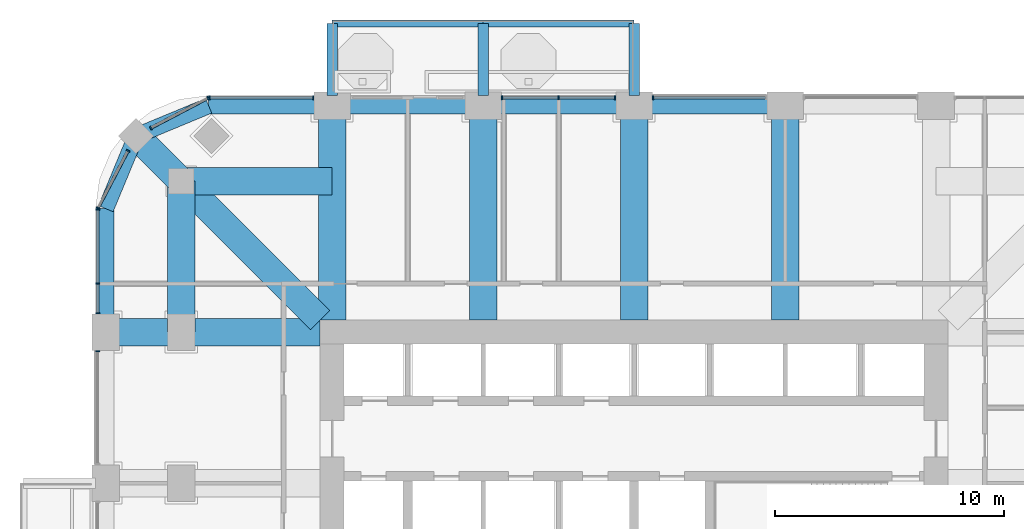
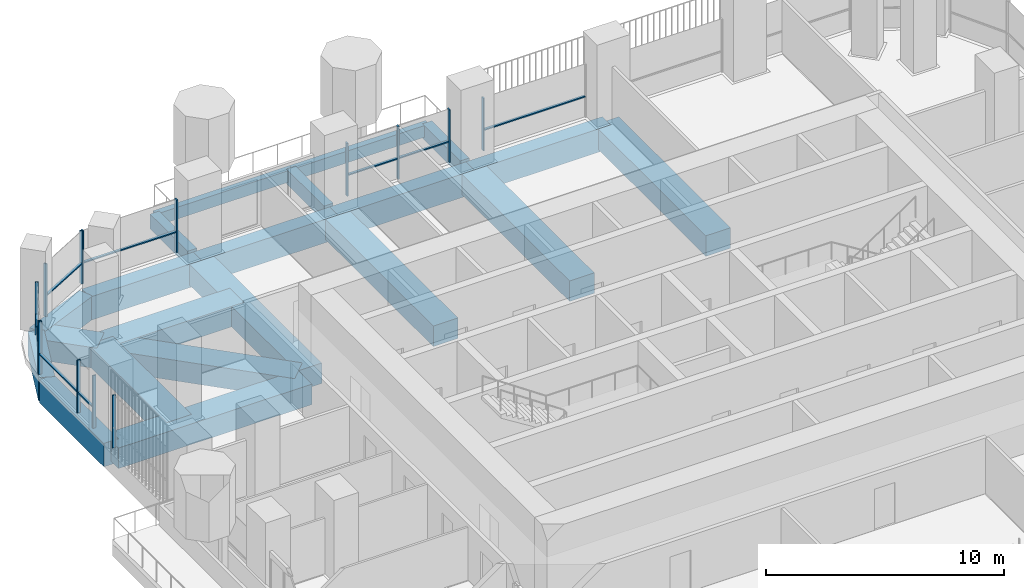
# One storey, part 6 of 20: 22 members, 21 beams, 7 elements without a shape of their own.
"""IFC4 building model written with IfcOpenShell, lengths in metres."""

from ifc_helpers import new_model, si_unit, direction, frame, origin, origin_2d, place, context, subcontext, project, spatial, rectangle, extrude, material, material_profile, profile_set, type_object, element, aggregate, save


model = new_model("IFC4")

# Units and contexts
model_context = context("Model", 3, precision=1e-05, world=origin(), true_north=direction((0.0, 1.0)))
body_context = subcontext(model_context, "Body", "Model", "MODEL_VIEW")
ifc_project = project(units=[si_unit("LENGTHUNIT", "METRE"), si_unit("AREAUNIT", "SQUARE_METRE"), si_unit("VOLUMEUNIT", "CUBIC_METRE"), si_unit("PLANEANGLEUNIT", "RADIAN"), si_unit("MASSUNIT", "GRAM", prefix="KILO")], contexts=[model_context])

# Site, building, storey
site_placement = place(None, origin())
site = spatial("IfcSite", under=ifc_project, at=site_placement, CompositionType="ELEMENT")
building_placement = place(site_placement, origin())
building = spatial("IfcBuilding", under=site, at=building_placement, Name="Cobogo Forest Laboratory Tower", CompositionType="ELEMENT")
storey_placement = place(building_placement, frame((0.0, 0.0, 176.699951171875)))
storey = spatial("IfcBuildingStorey", under=building, at=storey_placement, Name="L40", CompositionType="ELEMENT", Elevation=176.699951171875)

# Beams
ifc_material_1 = material(Name="Concrete HA-40 (C40/50)", Category="concrete")
ifc_material_profile_1 = material_profile(ifc_material_1, rectangle(XDim=0.449951171875, YDim=0.75, at=origin_2d()), Name="RC 450x750")
ifc_profile_set_1 = profile_set([ifc_material_profile_1], Name="Concrete HA-40 (C40/50)")
beam_type_1 = type_object("IfcBeamType", Name="Balcony cantilever beam 450x750", PredefinedType="BEAM", material=ifc_profile_set_1)
for number, where, z_axis, x_axis, name in (
    (1, (13.199951171875, 43.35009765625, -0.625), (0.0, 1.0, 0.0), (-1.0, 0.0, 0.0), "CB1 BAL-N1-C1 L40"),
    (2, (19.800048828125, 43.35009765625, -0.625), (0.0, 1.0, 0.0), (-1.0, 0.0, 0.0), "CB1 BAL-N1-C2 L40"),
    (3, (26.39990234375, 43.35009765625, -0.625), (0.0, 1.0, 0.0), (-1.0, 0.0, 0.0), "CB1 BAL-N1-C3 L40"),
):
    element("IfcBeam", number, at=place(storey_placement, frame(where, z_axis=z_axis, x_axis=x_axis)), inside=storey, type_object=beam_type_1, Name=name, PredefinedType="BEAM", context=body_context, shape_type="SweptSolid", body=[
        extrude(rectangle(XDim=0.449951171875, YDim=0.75, at=origin_2d()), origin(), (0.0, 0.0, 1.0), 3.14990234375),
    ])
ifc_material_profile_2 = material_profile(ifc_material_1, rectangle(XDim=0.300048828125, YDim=0.60009765625, at=origin_2d()), Name="RC 300x600")
ifc_profile_set_2 = profile_set([ifc_material_profile_2], Name="Concrete HA-40 (C40/50)")
beam_type_2 = type_object("IfcBeamType", Name="Balcony edge beam 300x600", PredefinedType="BEAM", material=ifc_profile_set_2)
beam_1_placement = place(storey_placement, frame((13.199951171875, 46.5, -0.550048828125), z_axis=(1.0, 0.0, 0.0), x_axis=(0.0, 1.0, 0.0)))
element("IfcBeam", 4, at=beam_1_placement, inside=storey, type_object=beam_type_2, Name="BB1 BAL-N1-T1 L40", PredefinedType="BEAM", context=body_context, shape_type="SweptSolid", body=[
    extrude(rectangle(XDim=0.300048828125, YDim=0.60009765625, at=origin_2d()), origin(), (0.0, 0.0, 1.0), 6.60009765625),
])
beam_2_placement = place(storey_placement, frame((19.800048828125, 46.5, -0.550048828125), z_axis=(1.0, 0.0, 0.0), x_axis=(0.0, 1.0, 0.0)))
element("IfcBeam", 5, at=beam_2_placement, inside=storey, type_object=beam_type_2, Name="BB1 BAL-N1-T2 L40", PredefinedType="BEAM", context=body_context, shape_type="SweptSolid", body=[
    extrude(rectangle(XDim=0.300048828125, YDim=0.60009765625, at=origin_2d()), origin(), (0.0, 0.0, 1.0), 6.599853515625),
])
ifc_material_profile_3 = material_profile(ifc_material_1, rectangle(XDim=1.199951171875, YDim=1.050048828125, at=origin_2d()), Name="RC 1200x1050")
ifc_profile_set_3 = profile_set([ifc_material_profile_3], Name="Concrete HA-40 (C40/50)")
beam_type_3 = type_object("IfcBeamType", Name="Laboratory floor wide beam 1200x1050", PredefinedType="BEAM", material=ifc_profile_set_3)
for number, where, z_axis, x_axis, name in (
    (6, (13.199951171875, 33.52490234375, -0.824951171875), (0.0, 1.0, 0.0), (-1.0, 0.0, 0.0), "RB1 R-3-N L40"),
    (7, (19.800048828125, 33.52490234375, -0.824951171875), (0.0, 1.0, 0.0), (-1.0, 0.0, 0.0), "RB1 R-4-N L40"),
    (8, (26.39990234375, 33.52490234375, -0.824951171875), (0.0, 1.0, 0.0), (-1.0, 0.0, 0.0), "RB1 R-5-N L40"),
    (9, (33.0, 33.52490234375, -0.824951171875), (0.0, 1.0, 0.0), (-1.0, 0.0, 0.0), "RB1 R-6-N L40"),
    (10, (12.675048828125, 33.0, -0.824951171875), (-1.0, 0.0, 0.0), (0.0, -1.0, 0.0), "RB1 R-F-W L40"),
):
    element("IfcBeam", number, at=place(storey_placement, frame(where, z_axis=z_axis, x_axis=x_axis)), inside=storey, type_object=beam_type_3, Name=name, PredefinedType="BEAM", context=body_context, shape_type="SweptSolid", body=[
        extrude(rectangle(XDim=1.199951171875, YDim=1.050048828125, at=origin_2d()), origin(), (0.0, 0.0, 1.0), 9.375),
    ])
beam_3_placement = place(storey_placement, frame((6.60009765625, 39.60009765625, -0.824951171875), z_axis=(0.0, -1.0, 0.0), x_axis=(1.0, 0.0, 0.0)))
element("IfcBeam", 11, at=beam_3_placement, inside=storey, type_object=beam_type_3, Name="RB1 G-NW-XC L40", PredefinedType="BEAM", context=body_context, shape_type="SweptSolid", body=[
    extrude(rectangle(XDim=1.199951171875, YDim=1.050048828125, at=origin_2d()), origin(), (0.0, 0.0, 1.0), 6.60009765625),
])
beam_4_placement = place(storey_placement, frame((6.60009765625, 39.60009765625, -0.824951171875), z_axis=(1.0, 0.0, 0.0), x_axis=(0.0, 1.0, 0.0)))
element("IfcBeam", 12, at=beam_4_placement, inside=storey, type_object=beam_type_3, Name="RB1 G-NW-YC L40", PredefinedType="BEAM", context=body_context, shape_type="SweptSolid", body=[
    extrude(rectangle(XDim=1.199951171875, YDim=1.050048828125, at=origin_2d()), origin(), (0.0, 0.0, 1.0), 6.599853515625),
])
beam_5_placement = place(storey_placement, frame((4.617919921875, 41.58203125, -0.824951171875), z_axis=(0.707150328948, -0.707063230743, 0.0), x_axis=(0.707063230743, 0.707150328948, 0.0)))
element("IfcBeam", 13, at=beam_5_placement, inside=storey, type_object=beam_type_3, Name="RB1 G-NW-D1 L40", PredefinedType="BEAM", context=body_context, shape_type="SweptSolid", body=[
    extrude(rectangle(XDim=1.199951171875, YDim=1.050048828125, at=origin_2d()), origin(), (0.0, 0.0, 1.0), 2.802978515625),
])
beam_6_placement = place(storey_placement, frame((6.60009765625, 39.60009765625, -0.824951171875), z_axis=(0.707092572697, -0.70712098939, 0.0), x_axis=(0.70712098939, 0.707092572697, 0.0)))
element("IfcBeam", 14, at=beam_6_placement, inside=storey, type_object=beam_type_3, Name="RB1 G-NW-D2 L40", PredefinedType="BEAM", context=body_context, shape_type="SweptSolid", body=[
    extrude(rectangle(XDim=1.199951171875, YDim=1.050048828125, at=origin_2d()), origin(), (0.0, 0.0, 1.0), 8.591552734375),
])

# Curtain wall, member
ifc_material_2 = material(Name="Aluminium curtain wall", Category="aluminium")
curtain_wall_type = type_object("IfcCurtainWallType", Name="CW-2 unitised curtain wall, solar control glazing, laboratory floors zones C and D", PredefinedType="USERDEFINED", material=ifc_material_2)
curtain_wall_1_placement = place(storey_placement, origin())
curtain_wall_1 = element("IfcCurtainWall", 15, at=curtain_wall_1_placement, inside=storey, type_object=curtain_wall_type, Name="Curtain wall 18 L40", ObjectType="UNITISED CURTAIN WALL", PredefinedType="USERDEFINED")
ifc_material_3 = material(Name="Aluminium mullion", Category="aluminium")
ifc_material_profile_4 = material_profile(ifc_material_3, rectangle(XDim=0.06005859375, YDim=0.159912109375, at=origin_2d()), Name="AL 60x160")
ifc_profile_set_4 = profile_set([ifc_material_profile_4], Name="Aluminium mullion")
member_type_1 = type_object("IfcMemberType", Name="MU-1 aluminium mullion 60x160", PredefinedType="MULLION", material=ifc_profile_set_4)
member_1_placement = place(storey_placement, frame((27.22998046875, 43.25, 0.0), z_axis=(0.0, 0.0, 1.0), x_axis=(-1.0, 0.0, 0.0)))
member_1 = element("IfcMember", 16, at=member_1_placement, type_object=member_type_1, Name="CW-2 mullion 2", PredefinedType="MULLION", context=body_context, shape_type="SweptSolid", body=[
    extrude(rectangle(XDim=0.06005859375, YDim=0.159912109375, at=origin_2d()), origin(), (0.0, 0.0, 1.0), 2.699951171875),
])

# Curtain wall, members
curtain_wall_2_placement = place(storey_placement, origin())
curtain_wall_2 = element("IfcCurtainWall", 17, at=curtain_wall_2_placement, inside=storey, type_object=curtain_wall_type, Name="Curtain wall 19 L40", ObjectType="UNITISED CURTAIN WALL", PredefinedType="USERDEFINED")
member_2_placement = place(storey_placement, frame((25.570068359375, 43.25, 0.0), z_axis=(0.0, 0.0, 1.0), x_axis=(-1.0, 0.0, 0.0)))
member_2 = element("IfcMember", 18, at=member_2_placement, type_object=member_type_1, Name="CW-2 mullion 1", PredefinedType="MULLION", context=body_context, shape_type="SweptSolid", body=[
    extrude(rectangle(XDim=0.06005859375, YDim=0.159912109375, at=origin_2d()), origin(), (0.0, 0.0, 1.0), 2.699951171875),
])
member_3_placement = place(storey_placement, frame((23.10009765625, 43.25, 0.0), z_axis=(0.0, 0.0, 1.0), x_axis=(-1.0, 0.0, 0.0)))
member_3 = element("IfcMember", 19, at=member_3_placement, type_object=member_type_1, Name="CW-2 mullion 2", PredefinedType="MULLION", context=body_context, shape_type="SweptSolid", body=[
    extrude(rectangle(XDim=0.06005859375, YDim=0.159912109375, at=origin_2d()), origin(), (0.0, 0.0, 1.0), 2.699951171875),
])
member_4_placement = place(storey_placement, frame((20.6298828125, 43.25, 0.0), z_axis=(0.0, 0.0, 1.0), x_axis=(-1.0, 0.0, 0.0)))
member_4 = element("IfcMember", 20, at=member_4_placement, type_object=member_type_1, Name="CW-2 mullion 3", PredefinedType="MULLION", context=body_context, shape_type="SweptSolid", body=[
    extrude(rectangle(XDim=0.06005859375, YDim=0.159912109375, at=origin_2d()), origin(), (0.0, 0.0, 1.0), 2.699951171875),
])

curtain_wall_3_placement = place(storey_placement, origin())
curtain_wall_3 = element("IfcCurtainWall", 21, at=curtain_wall_3_placement, inside=storey, type_object=curtain_wall_type, Name="Curtain wall 21 L40", ObjectType="UNITISED CURTAIN WALL", PredefinedType="USERDEFINED")
member_5_placement = place(storey_placement, frame((12.3701171875, 43.25, 0.0), z_axis=(0.0, 0.0, 1.0), x_axis=(-1.0, 0.0, 0.0)))
member_5 = element("IfcMember", 22, at=member_5_placement, type_object=member_type_1, Name="CW-2 mullion 1", PredefinedType="MULLION", context=body_context, shape_type="SweptSolid", body=[
    extrude(rectangle(XDim=0.06005859375, YDim=0.159912109375, at=origin_2d()), origin(), (0.0, 0.0, 1.0), 2.699951171875),
])
member_6_placement = place(storey_placement, frame((7.830078125, 43.25, 0.0), z_axis=(0.0, 0.0, 1.0), x_axis=(-1.0, 0.0, 0.0)))
member_6 = element("IfcMember", 23, at=member_6_placement, type_object=member_type_1, Name="CW-2 mullion 2", PredefinedType="MULLION", context=body_context, shape_type="SweptSolid", body=[
    extrude(rectangle(XDim=0.06005859375, YDim=0.159912109375, at=origin_2d()), origin(), (0.0, 0.0, 1.0), 2.699951171875),
])

curtain_wall_4_placement = place(storey_placement, origin())
curtain_wall_4 = element("IfcCurtainWall", 24, at=curtain_wall_4_placement, inside=storey, type_object=curtain_wall_type, Name="Curtain wall 22 L40", ObjectType="UNITISED CURTAIN WALL", PredefinedType="USERDEFINED")
member_7_placement = place(storey_placement, frame((7.7734375, 43.236083984375, 0.0), z_axis=(0.0, 0.0, 1.0), x_axis=(-0.885686484356, -0.464283804832, 0.0)))
member_7 = element("IfcMember", 25, at=member_7_placement, type_object=member_type_1, Name="CW-2 mullion 1", PredefinedType="MULLION", context=body_context, shape_type="SweptSolid", body=[
    extrude(rectangle(XDim=0.06005859375, YDim=0.159912109375, at=origin_2d()), origin(), (0.0, 0.0, 1.0), 2.699951171875),
])
member_8_placement = place(storey_placement, frame((5.275634765625, 41.9267578125, 0.0), z_axis=(0.0, 0.0, 1.0), x_axis=(-0.885686484356, -0.464283804832, 0.0)))
member_8 = element("IfcMember", 26, at=member_8_placement, type_object=member_type_1, Name="CW-2 mullion 2", PredefinedType="MULLION", context=body_context, shape_type="SweptSolid", body=[
    extrude(rectangle(XDim=0.06005859375, YDim=0.159912109375, at=origin_2d()), origin(), (0.0, 0.0, 1.0), 2.699951171875),
])

curtain_wall_5_placement = place(storey_placement, origin())
curtain_wall_5 = element("IfcCurtainWall", 27, at=curtain_wall_5_placement, inside=storey, type_object=curtain_wall_type, Name="Curtain wall 23 L40", ObjectType="UNITISED CURTAIN WALL", PredefinedType="USERDEFINED")
member_9_placement = place(storey_placement, frame((4.2734375, 40.924560546875, 0.0), z_axis=(0.0, 0.0, 1.0), x_axis=(-0.464283804832, -0.885686484356, 0.0)))
member_9 = element("IfcMember", 28, at=member_9_placement, type_object=member_type_1, Name="CW-2 mullion 1", PredefinedType="MULLION", context=body_context, shape_type="SweptSolid", body=[
    extrude(rectangle(XDim=0.06005859375, YDim=0.159912109375, at=origin_2d()), origin(), (0.0, 0.0, 1.0), 2.699951171875),
])
member_10_placement = place(storey_placement, frame((2.9638671875, 38.426513671875, 0.0), z_axis=(0.0, 0.0, 1.0), x_axis=(-0.464283804832, -0.885686484356, 0.0)))
member_10 = element("IfcMember", 29, at=member_10_placement, type_object=member_type_1, Name="CW-2 mullion 2", PredefinedType="MULLION", context=body_context, shape_type="SweptSolid", body=[
    extrude(rectangle(XDim=0.06005859375, YDim=0.159912109375, at=origin_2d()), origin(), (0.0, 0.0, 1.0), 2.699951171875),
])

curtain_wall_6_placement = place(storey_placement, origin())
curtain_wall_6 = element("IfcCurtainWall", 30, at=curtain_wall_6_placement, inside=storey, type_object=curtain_wall_type, Name="Curtain wall 24 L40", ObjectType="UNITISED CURTAIN WALL", PredefinedType="USERDEFINED")
member_11_placement = place(storey_placement, frame((2.949951171875, 38.3701171875, 0.0), z_axis=(0.0, 0.0, 1.0), x_axis=(0.0, -1.0, 0.0)))
member_11 = element("IfcMember", 31, at=member_11_placement, type_object=member_type_1, Name="CW-2 mullion 1", PredefinedType="MULLION", context=body_context, shape_type="SweptSolid", body=[
    extrude(rectangle(XDim=0.06005859375, YDim=0.159912109375, at=origin_2d()), origin(), (0.0, 0.0, 1.0), 2.699951171875),
])
member_12_placement = place(storey_placement, frame((2.949951171875, 35.125, 0.0), z_axis=(0.0, 0.0, 1.0), x_axis=(0.0, -1.0, 0.0)))
member_12 = element("IfcMember", 32, at=member_12_placement, type_object=member_type_1, Name="CW-2 mullion 2", PredefinedType="MULLION", context=body_context, shape_type="SweptSolid", body=[
    extrude(rectangle(XDim=0.06005859375, YDim=0.159912109375, at=origin_2d()), origin(), (0.0, 0.0, 1.0), 2.699951171875),
])
member_13_placement = place(storey_placement, frame((2.949951171875, 33.830078125, 0.0), z_axis=(0.0, 0.0, 1.0), x_axis=(0.0, -1.0, 0.0)))
member_13 = element("IfcMember", 33, at=member_13_placement, type_object=member_type_1, Name="CW-2 mullion 3", PredefinedType="MULLION", context=body_context, shape_type="SweptSolid", body=[
    extrude(rectangle(XDim=0.06005859375, YDim=0.159912109375, at=origin_2d()), origin(), (0.0, 0.0, 1.0), 2.699951171875),
])

# Curtain wall, member
curtain_wall_7_placement = place(storey_placement, origin())
curtain_wall_7 = element("IfcCurtainWall", 34, at=curtain_wall_7_placement, inside=storey, type_object=curtain_wall_type, Name="Curtain wall 25 L40", ObjectType="UNITISED CURTAIN WALL", PredefinedType="USERDEFINED")
member_14_placement = place(storey_placement, frame((2.949951171875, 32.169921875, 0.0), z_axis=(0.0, 0.0, 1.0), x_axis=(0.0, -1.0, 0.0)))
member_14 = element("IfcMember", 35, at=member_14_placement, type_object=member_type_1, Name="CW-2 mullion 1", PredefinedType="MULLION", context=body_context, shape_type="SweptSolid", body=[
    extrude(rectangle(XDim=0.06005859375, YDim=0.159912109375, at=origin_2d()), origin(), (0.0, 0.0, 1.0), 2.699951171875),
])
aggregate(curtain_wall_7, [member_14])

# Beams
ifc_material_profile_5 = material_profile(ifc_material_1, rectangle(XDim=0.699951171875, YDim=1.199951171875, at=origin_2d()), Name="RC 700x1200")
ifc_profile_set_5 = profile_set([ifc_material_profile_5], Name="Concrete HA-40 (C40/50)")
beam_type_4 = type_object("IfcBeamType", Name="Perimeter edge beam 700x1200", PredefinedType="BEAM", material=ifc_profile_set_5)
beam_7_placement = place(storey_placement, frame((13.199951171875, 42.89990234375, -0.89990234375), z_axis=(1.0, 0.0, 0.0), x_axis=(0.0, 1.0, 0.0)))
element("IfcBeam", 36, at=beam_7_placement, inside=storey, type_object=beam_type_4, Name="EB1 E-N1 L40", PredefinedType="BEAM", context=body_context, shape_type="SweptSolid", body=[
    extrude(rectangle(XDim=0.699951171875, YDim=1.199951171875, at=origin_2d()), origin(), (0.0, 0.0, 1.0), 6.60009765625),
])
beam_8_placement = place(storey_placement, frame((19.800048828125, 42.89990234375, -0.89990234375), z_axis=(1.0, 0.0, 0.0), x_axis=(0.0, 1.0, 0.0)))
element("IfcBeam", 37, at=beam_8_placement, inside=storey, type_object=beam_type_4, Name="EB1 E-N2 L40", PredefinedType="BEAM", context=body_context, shape_type="SweptSolid", body=[
    extrude(rectangle(XDim=0.699951171875, YDim=1.199951171875, at=origin_2d()), origin(), (0.0, 0.0, 1.0), 6.599853515625),
])
beam_9_placement = place(storey_placement, frame((26.39990234375, 42.89990234375, -0.89990234375), z_axis=(1.0, 0.0, 0.0), x_axis=(0.0, 1.0, 0.0)))
element("IfcBeam", 38, at=beam_9_placement, inside=storey, type_object=beam_type_4, Name="EB1 E-N3 L40", PredefinedType="BEAM", context=body_context, shape_type="SweptSolid", body=[
    extrude(rectangle(XDim=0.699951171875, YDim=1.199951171875, at=origin_2d()), origin(), (0.0, 0.0, 1.0), 6.60009765625),
])
beam_10_placement = place(storey_placement, frame((13.199951171875, 42.89990234375, -0.89990234375), z_axis=(-1.0, 0.0, 0.0), x_axis=(0.0, -1.0, 0.0)))
element("IfcBeam", 39, at=beam_10_placement, inside=storey, type_object=beam_type_4, Name="EB1 E-NWN1 L40", PredefinedType="BEAM", context=body_context, shape_type="SweptSolid", body=[
    extrude(rectangle(XDim=0.699951171875, YDim=1.199951171875, at=origin_2d()), origin(), (0.0, 0.0, 1.0), 5.39990234375),
])
beam_11_placement = place(storey_placement, frame((7.800048828125, 42.89990234375, -0.89990234375), z_axis=(-0.923901072997, -0.382631424892, 0.0), x_axis=(0.382631424892, -0.923901072997, 0.0)))
element("IfcBeam", 40, at=beam_11_placement, inside=storey, type_object=beam_type_4, Name="EB1 E-NWN2 L40", PredefinedType="BEAM", context=body_context, shape_type="SweptSolid", body=[
    extrude(rectangle(XDim=0.699951171875, YDim=1.199951171875, at=origin_2d()), origin(), (0.0, 0.0, 1.0), 3.4443359375),
])
beam_12_placement = place(storey_placement, frame((3.300048828125, 33.0, -0.89990234375), z_axis=(0.0, 1.0, 0.0), x_axis=(-1.0, 0.0, 0.0)))
element("IfcBeam", 41, at=beam_12_placement, inside=storey, type_object=beam_type_4, Name="EB1 E-NWW1 L40", PredefinedType="BEAM", context=body_context, shape_type="SweptSolid", body=[
    extrude(rectangle(XDim=0.699951171875, YDim=1.199951171875, at=origin_2d()), origin(), (0.0, 0.0, 1.0), 5.39990234375),
])
beam_13_placement = place(storey_placement, frame((3.300048828125, 38.39990234375, -0.89990234375), z_axis=(0.382631424892, 0.923901072997, 0.0), x_axis=(-0.923901072997, 0.382631424892, 0.0)))
element("IfcBeam", 42, at=beam_13_placement, inside=storey, type_object=beam_type_4, Name="EB1 E-NWW2 L40", PredefinedType="BEAM", context=body_context, shape_type="SweptSolid", body=[
    extrude(rectangle(XDim=0.699951171875, YDim=1.199951171875, at=origin_2d()), origin(), (0.0, 0.0, 1.0), 3.4443359375),
])

# Member
ifc_material_4 = material(Name="Aluminium transom", Category="aluminium")
ifc_material_profile_6 = material_profile(ifc_material_4, rectangle(XDim=0.1201171875, YDim=0.06005859375, at=origin_2d()), Name="AL 60x120")
ifc_profile_set_6 = profile_set([ifc_material_profile_6], Name="Aluminium transom")
member_type_2 = type_object("IfcMemberType", Name="TR-1 aluminium transom 60x120", PredefinedType="USERDEFINED", material=ifc_profile_set_6)
member_15_placement = place(storey_placement, frame((32.139892578125, 43.25, 1.050048828125), z_axis=(-1.0, 0.0, 0.0), x_axis=(0.0, -1.0, 0.0)))
member_15 = element("IfcMember", 43, at=member_15_placement, type_object=member_type_2, Name="CW-2 transom 1.1", ObjectType="TRANSOM", PredefinedType="USERDEFINED", context=body_context, shape_type="SweptSolid", body=[
    extrude(rectangle(XDim=0.1201171875, YDim=0.06005859375, at=origin_2d()), origin(), (0.0, 0.0, 1.0), 4.8798828125),
])

aggregate(curtain_wall_1, [member_1, member_15])

member_16_placement = place(storey_placement, frame((25.5400390625, 43.25, 1.050048828125), z_axis=(-1.0, 0.0, 0.0), x_axis=(0.0, -1.0, 0.0)))
member_16 = element("IfcMember", 44, at=member_16_placement, type_object=member_type_2, Name="CW-2 transom 1.1", ObjectType="TRANSOM", PredefinedType="USERDEFINED", context=body_context, shape_type="SweptSolid", body=[
    extrude(rectangle(XDim=0.1201171875, YDim=0.06005859375, at=origin_2d()), origin(), (0.0, 0.0, 1.0), 2.41015625),
])

member_17_placement = place(storey_placement, frame((23.070068359375, 43.25, 1.050048828125), z_axis=(-1.0, 0.0, 0.0), x_axis=(0.0, -1.0, 0.0)))
member_17 = element("IfcMember", 45, at=member_17_placement, type_object=member_type_2, Name="CW-2 transom 2.1", ObjectType="TRANSOM", PredefinedType="USERDEFINED", context=body_context, shape_type="SweptSolid", body=[
    extrude(rectangle(XDim=0.1201171875, YDim=0.06005859375, at=origin_2d()), origin(), (0.0, 0.0, 1.0), 2.41015625),
])

aggregate(curtain_wall_2, [member_2, member_3, member_4, member_16, member_17])

member_18_placement = place(storey_placement, frame((12.340087890625, 43.25, 1.050048828125), z_axis=(-1.0, 0.0, 0.0), x_axis=(0.0, -1.0, 0.0)))
member_18 = element("IfcMember", 46, at=member_18_placement, type_object=member_type_2, Name="CW-2 transom 1.1", ObjectType="TRANSOM", PredefinedType="USERDEFINED", context=body_context, shape_type="SweptSolid", body=[
    extrude(rectangle(XDim=0.1201171875, YDim=0.06005859375, at=origin_2d()), origin(), (0.0, 0.0, 1.0), 4.47998046875),
])

aggregate(curtain_wall_3, [member_5, member_6, member_18])

member_19_placement = place(storey_placement, frame((7.746826171875, 43.22216796875, 1.050048828125), z_axis=(-0.88570166389, -0.464254846591, 0.0), x_axis=(0.464254846591, -0.88570166389, 0.0)))
member_19 = element("IfcMember", 47, at=member_19_placement, type_object=member_type_2, Name="CW-2 transom 1.1", ObjectType="TRANSOM", PredefinedType="USERDEFINED", context=body_context, shape_type="SweptSolid", body=[
    extrude(rectangle(XDim=0.1201171875, YDim=0.06005859375, at=origin_2d()), origin(), (0.0, 0.0, 1.0), 2.76025390625),
])

aggregate(curtain_wall_4, [member_7, member_8, member_19])

member_20_placement = place(storey_placement, frame((4.259521484375, 40.89794921875, 1.050048828125), z_axis=(-0.464324225592, -0.885665294301, 0.0), x_axis=(0.885665294301, -0.464324225592, 0.0)))
member_20 = element("IfcMember", 48, at=member_20_placement, type_object=member_type_2, Name="CW-2 transom 1.1", ObjectType="TRANSOM", PredefinedType="USERDEFINED", context=body_context, shape_type="SweptSolid", body=[
    extrude(rectangle(XDim=0.1201171875, YDim=0.06005859375, at=origin_2d()), origin(), (0.0, 0.0, 1.0), 2.760498046875),
])

aggregate(curtain_wall_5, [member_9, member_10, member_20])

member_21_placement = place(storey_placement, frame((2.949951171875, 38.340087890625, 1.050048828125), z_axis=(0.0, -1.0, 0.0), x_axis=(1.0, 0.0, 0.0)))
member_21 = element("IfcMember", 49, at=member_21_placement, type_object=member_type_2, Name="CW-2 transom 1.1", ObjectType="TRANSOM", PredefinedType="USERDEFINED", context=body_context, shape_type="SweptSolid", body=[
    extrude(rectangle(XDim=0.1201171875, YDim=0.06005859375, at=origin_2d()), origin(), (0.0, 0.0, 1.0), 3.18505859375),
])

member_22_placement = place(storey_placement, frame((2.949951171875, 35.094970703125, 1.050048828125), z_axis=(0.0, -1.0, 0.0), x_axis=(1.0, 0.0, 0.0)))
member_22 = element("IfcMember", 50, at=member_22_placement, type_object=member_type_2, Name="CW-2 transom 2.1", ObjectType="TRANSOM", PredefinedType="USERDEFINED", context=body_context, shape_type="SweptSolid", body=[
    extrude(rectangle(XDim=0.1201171875, YDim=0.06005859375, at=origin_2d()), origin(), (0.0, 0.0, 1.0), 1.23486328125),
])

aggregate(curtain_wall_6, [member_11, member_12, member_13, member_21, member_22])

save(model, "model.ifc")
